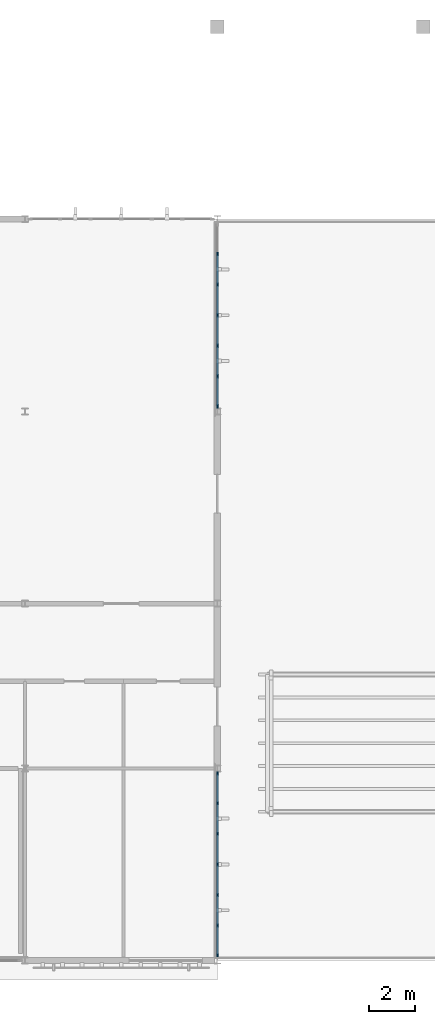
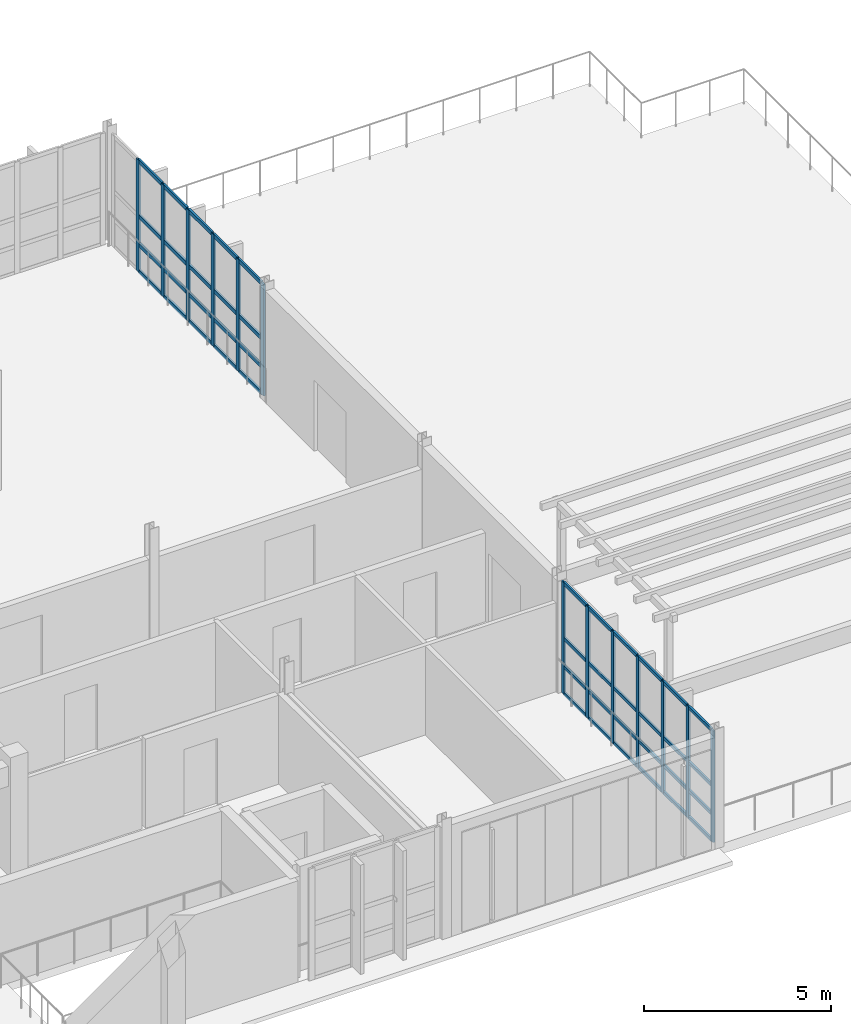
# One storey, part 16 of 35: 57 members, 2 elements without a shape of their own.
"""IFC4 building model written with IfcOpenShell, lengths in metres."""

from ifc_helpers import new_model, si_unit, direction, frame, origin, origin_2d, place, context, subcontext, project, spatial, rectangle, extrude, material, material_profile, profile_set, type_object, element, aggregate, save


model = new_model("IFC4")

# Units and contexts
model_context = context("Model", 3, precision=1e-05, world=origin(), true_north=direction((0.0, 1.0)))
body_context = subcontext(model_context, "Body", "Model", "MODEL_VIEW")
ifc_project = project(units=[si_unit("LENGTHUNIT", "METRE"), si_unit("AREAUNIT", "SQUARE_METRE"), si_unit("VOLUMEUNIT", "CUBIC_METRE"), si_unit("PLANEANGLEUNIT", "RADIAN"), si_unit("MASSUNIT", "GRAM", prefix="KILO")], contexts=[model_context])

# Site, building, storey
site_placement = place(None, origin())
site = spatial("IfcSite", under=ifc_project, at=site_placement, CompositionType="ELEMENT")
building_placement = place(site_placement, origin())
building = spatial("IfcBuilding", under=site, at=building_placement, Name="Tizgana Railside Sports Hall", CompositionType="ELEMENT")
storey_placement = place(building_placement, frame((0.0, 0.0, 15.89990234375)))
storey = spatial("IfcBuildingStorey", under=building, at=storey_placement, Name="L03", CompositionType="ELEMENT", Elevation=15.89990234375)

# Curtain wall, members
ifc_material_1 = material(Name="Anodised aluminium and glass", Category="aluminium")
curtain_wall_type_1 = type_object("IfcCurtainWallType", Name="Unitised Curtain Wall Clinic 1200", PredefinedType="NOTDEFINED", material=ifc_material_1)
curtain_wall_1_placement = place(storey_placement, origin())
curtain_wall_1 = element("IfcCurtainWall", 1, at=curtain_wall_1_placement, inside=storey, type_object=curtain_wall_type_1, Name="L03 Curtain Wall CW-0132", PredefinedType="NOTDEFINED")
ifc_material_2 = material(Name="Anodised aluminium", Category="aluminium")
ifc_material_profile_1 = material_profile(ifc_material_2, rectangle(XDim=0.06005859375, YDim=0.139892578125, at=origin_2d()), Name="Mullion 60x140")
ifc_profile_set_1 = profile_set([ifc_material_profile_1], Name="Anodised aluminium")
member_type_1 = type_object("IfcMemberType", Name="Mullion 60x140", PredefinedType="MULLION", material=ifc_profile_set_1)
member_1_placement = place(storey_placement, frame((79.800048828125, 8.175048828125, 0.0), z_axis=(0.0, 0.0, 1.0), x_axis=(1.0, 0.0, 0.0)))
member_1 = element("IfcMember", 2, at=member_1_placement, type_object=member_type_1, Name="CW-05 mullion 1", PredefinedType="MULLION", context=body_context, shape_type="SweptSolid", body=[
    extrude(rectangle(XDim=0.06005859375, YDim=0.139892578125, at=origin_2d()), origin(), (0.0, 0.0, 1.0), 3.64013671875),
])
member_2_placement = place(storey_placement, frame((79.800048828125, 6.8701171875, 0.0), z_axis=(0.0, 0.0, 1.0), x_axis=(1.0, 0.0, 0.0)))
member_2 = element("IfcMember", 3, at=member_2_placement, type_object=member_type_1, Name="CW-05 mullion 2", PredefinedType="MULLION", context=body_context, shape_type="SweptSolid", body=[
    extrude(rectangle(XDim=0.06005859375, YDim=0.139892578125, at=origin_2d()), origin(), (0.0, 0.0, 1.0), 3.64013671875),
])
member_3_placement = place(storey_placement, frame((79.800048828125, 5.534912109375, 0.0), z_axis=(0.0, 0.0, 1.0), x_axis=(1.0, 0.0, 0.0)))
member_3 = element("IfcMember", 4, at=member_3_placement, type_object=member_type_1, Name="CW-05 mullion 3", PredefinedType="MULLION", context=body_context, shape_type="SweptSolid", body=[
    extrude(rectangle(XDim=0.06005859375, YDim=0.139892578125, at=origin_2d()), origin(), (0.0, 0.0, 1.0), 3.64013671875),
])
member_4_placement = place(storey_placement, frame((79.800048828125, 4.199951171875, 0.0), z_axis=(0.0, 0.0, 1.0), x_axis=(1.0, 0.0, 0.0)))
member_4 = element("IfcMember", 5, at=member_4_placement, type_object=member_type_1, Name="CW-05 mullion 4", PredefinedType="MULLION", context=body_context, shape_type="SweptSolid", body=[
    extrude(rectangle(XDim=0.06005859375, YDim=0.139892578125, at=origin_2d()), origin(), (0.0, 0.0, 1.0), 3.64013671875),
])
member_5_placement = place(storey_placement, frame((79.800048828125, 2.864990234375, 0.0), z_axis=(0.0, 0.0, 1.0), x_axis=(1.0, 0.0, 0.0)))
member_5 = element("IfcMember", 6, at=member_5_placement, type_object=member_type_1, Name="CW-05 mullion 5", PredefinedType="MULLION", context=body_context, shape_type="SweptSolid", body=[
    extrude(rectangle(XDim=0.06005859375, YDim=0.139892578125, at=origin_2d()), origin(), (0.0, 0.0, 1.0), 3.64013671875),
])
member_6_placement = place(storey_placement, frame((79.800048828125, 1.530029296875, 0.0), z_axis=(0.0, 0.0, 1.0), x_axis=(1.0, 0.0, 0.0)))
member_6 = element("IfcMember", 7, at=member_6_placement, type_object=member_type_1, Name="CW-05 mullion 6", PredefinedType="MULLION", context=body_context, shape_type="SweptSolid", body=[
    extrude(rectangle(XDim=0.06005859375, YDim=0.139892578125, at=origin_2d()), origin(), (0.0, 0.0, 1.0), 3.64013671875),
])
member_7_placement = place(storey_placement, frame((79.800048828125, 0.22509765625, 0.0), z_axis=(0.0, 0.0, 1.0), x_axis=(1.0, 0.0, 0.0)))
member_7 = element("IfcMember", 8, at=member_7_placement, type_object=member_type_1, Name="CW-05 mullion 7", PredefinedType="MULLION", context=body_context, shape_type="SweptSolid", body=[
    extrude(rectangle(XDim=0.06005859375, YDim=0.139892578125, at=origin_2d()), origin(), (0.0, 0.0, 1.0), 3.64013671875),
])

curtain_wall_type_2 = type_object("IfcCurtainWallType", Name="Unitised Curtain Wall Passage 1800", PredefinedType="NOTDEFINED", material=ifc_material_1)
curtain_wall_2_placement = place(storey_placement, origin())
curtain_wall_2 = element("IfcCurtainWall", 9, at=curtain_wall_2_placement, inside=storey, type_object=curtain_wall_type_2, Name="L03 Curtain Wall CW-0133", PredefinedType="NOTDEFINED")
ifc_material_profile_2 = material_profile(ifc_material_2, rectangle(XDim=0.06005859375, YDim=0.159912109375, at=origin_2d()), Name="Mullion 60x160")
ifc_profile_set_2 = profile_set([ifc_material_profile_2], Name="Anodised aluminium")
member_type_2 = type_object("IfcMemberType", Name="Mullion 60x160", PredefinedType="MULLION", material=ifc_profile_set_2)
member_8_placement = place(storey_placement, frame((79.800048828125, 30.8701171875, 0.0), z_axis=(0.0, 0.0, 1.0), x_axis=(1.0, 0.0, 0.0)))
member_8 = element("IfcMember", 10, at=member_8_placement, type_object=member_type_2, Name="CW-06 mullion 2", PredefinedType="MULLION", context=body_context, shape_type="SweptSolid", body=[
    extrude(rectangle(XDim=0.06005859375, YDim=0.159912109375, at=origin_2d()), origin(), (0.0, 0.0, 1.0), 3.64013671875),
])
member_9_placement = place(storey_placement, frame((79.800048828125, 29.534912109375, 0.0), z_axis=(0.0, 0.0, 1.0), x_axis=(1.0, 0.0, 0.0)))
member_9 = element("IfcMember", 11, at=member_9_placement, type_object=member_type_2, Name="CW-06 mullion 3", PredefinedType="MULLION", context=body_context, shape_type="SweptSolid", body=[
    extrude(rectangle(XDim=0.06005859375, YDim=0.159912109375, at=origin_2d()), origin(), (0.0, 0.0, 1.0), 3.64013671875),
])
member_10_placement = place(storey_placement, frame((79.800048828125, 28.199951171875, 0.0), z_axis=(0.0, 0.0, 1.0), x_axis=(1.0, 0.0, 0.0)))
member_10 = element("IfcMember", 12, at=member_10_placement, type_object=member_type_2, Name="CW-06 mullion 4", PredefinedType="MULLION", context=body_context, shape_type="SweptSolid", body=[
    extrude(rectangle(XDim=0.06005859375, YDim=0.159912109375, at=origin_2d()), origin(), (0.0, 0.0, 1.0), 3.64013671875),
])
member_11_placement = place(storey_placement, frame((79.800048828125, 26.864990234375, 0.0), z_axis=(0.0, 0.0, 1.0), x_axis=(1.0, 0.0, 0.0)))
member_11 = element("IfcMember", 13, at=member_11_placement, type_object=member_type_2, Name="CW-06 mullion 5", PredefinedType="MULLION", context=body_context, shape_type="SweptSolid", body=[
    extrude(rectangle(XDim=0.06005859375, YDim=0.159912109375, at=origin_2d()), origin(), (0.0, 0.0, 1.0), 3.64013671875),
])
member_12_placement = place(storey_placement, frame((79.800048828125, 25.530029296875, 0.0), z_axis=(0.0, 0.0, 1.0), x_axis=(1.0, 0.0, 0.0)))
member_12 = element("IfcMember", 14, at=member_12_placement, type_object=member_type_2, Name="CW-06 mullion 6", PredefinedType="MULLION", context=body_context, shape_type="SweptSolid", body=[
    extrude(rectangle(XDim=0.06005859375, YDim=0.159912109375, at=origin_2d()), origin(), (0.0, 0.0, 1.0), 3.64013671875),
])
member_13_placement = place(storey_placement, frame((79.800048828125, 24.22509765625, 0.0), z_axis=(0.0, 0.0, 1.0), x_axis=(1.0, 0.0, 0.0)))
member_13 = element("IfcMember", 15, at=member_13_placement, type_object=member_type_2, Name="CW-06 mullion 7", PredefinedType="MULLION", context=body_context, shape_type="SweptSolid", body=[
    extrude(rectangle(XDim=0.06005859375, YDim=0.159912109375, at=origin_2d()), origin(), (0.0, 0.0, 1.0), 3.64013671875),
])

# Member
ifc_material_profile_3 = material_profile(ifc_material_2, rectangle(XDim=0.06005859375, YDim=0.110107421875, at=origin_2d()), Name="Transom 60x110")
ifc_profile_set_3 = profile_set([ifc_material_profile_3], Name="Anodised aluminium")
member_type_3 = type_object("IfcMemberType", Name="Transom 60x110", PredefinedType="USERDEFINED", material=ifc_profile_set_3)
member_14_placement = place(storey_placement, frame((79.800048828125, 8.14501953125, 0.030029296875), z_axis=(0.0, -1.0, 0.0), x_axis=(1.0, 0.0, 0.0)))
member_14 = element("IfcMember", 16, at=member_14_placement, type_object=member_type_3, Name="CW-05 transom 1.1", ObjectType="TRANSOM", PredefinedType="USERDEFINED", context=body_context, shape_type="SweptSolid", body=[
    extrude(rectangle(XDim=0.06005859375, YDim=0.110107421875, at=origin_2d()), origin(), (0.0, 0.0, 1.0), 1.2451171875),
])

member_15_placement = place(storey_placement, frame((79.800048828125, 8.14501953125, 0.900146484375), z_axis=(0.0, -1.0, 0.0), x_axis=(1.0, 0.0, 0.0)))
member_15 = element("IfcMember", 17, at=member_15_placement, type_object=member_type_3, Name="CW-05 transom 1.2", ObjectType="TRANSOM", PredefinedType="USERDEFINED", context=body_context, shape_type="SweptSolid", body=[
    extrude(rectangle(XDim=0.06005859375, YDim=0.110107421875, at=origin_2d()), origin(), (0.0, 0.0, 1.0), 1.2451171875),
])

member_16_placement = place(storey_placement, frame((79.800048828125, 8.14501953125, 1.820068359375), z_axis=(0.0, -1.0, 0.0), x_axis=(1.0, 0.0, 0.0)))
member_16 = element("IfcMember", 18, at=member_16_placement, type_object=member_type_3, Name="CW-05 transom 1.3", ObjectType="TRANSOM", PredefinedType="USERDEFINED", context=body_context, shape_type="SweptSolid", body=[
    extrude(rectangle(XDim=0.06005859375, YDim=0.110107421875, at=origin_2d()), origin(), (0.0, 0.0, 1.0), 1.2451171875),
])

member_17_placement = place(storey_placement, frame((79.800048828125, 8.14501953125, 3.610107421875), z_axis=(0.0, -1.0, 0.0), x_axis=(1.0, 0.0, 0.0)))
member_17 = element("IfcMember", 19, at=member_17_placement, type_object=member_type_3, Name="CW-05 transom 1.4", ObjectType="TRANSOM", PredefinedType="USERDEFINED", context=body_context, shape_type="SweptSolid", body=[
    extrude(rectangle(XDim=0.06005859375, YDim=0.110107421875, at=origin_2d()), origin(), (0.0, 0.0, 1.0), 1.2451171875),
])

member_18_placement = place(storey_placement, frame((79.800048828125, 6.840087890625, 0.030029296875), z_axis=(0.0, -1.0, 0.0), x_axis=(1.0, 0.0, 0.0)))
member_18 = element("IfcMember", 20, at=member_18_placement, type_object=member_type_3, Name="CW-05 transom 2.1", ObjectType="TRANSOM", PredefinedType="USERDEFINED", context=body_context, shape_type="SweptSolid", body=[
    extrude(rectangle(XDim=0.06005859375, YDim=0.110107421875, at=origin_2d()), origin(), (0.0, 0.0, 1.0), 1.275146484375),
])

member_19_placement = place(storey_placement, frame((79.800048828125, 6.840087890625, 0.900146484375), z_axis=(0.0, -1.0, 0.0), x_axis=(1.0, 0.0, 0.0)))
member_19 = element("IfcMember", 21, at=member_19_placement, type_object=member_type_3, Name="CW-05 transom 2.2", ObjectType="TRANSOM", PredefinedType="USERDEFINED", context=body_context, shape_type="SweptSolid", body=[
    extrude(rectangle(XDim=0.06005859375, YDim=0.110107421875, at=origin_2d()), origin(), (0.0, 0.0, 1.0), 1.275146484375),
])

member_20_placement = place(storey_placement, frame((79.800048828125, 6.840087890625, 1.820068359375), z_axis=(0.0, -1.0, 0.0), x_axis=(1.0, 0.0, 0.0)))
member_20 = element("IfcMember", 22, at=member_20_placement, type_object=member_type_3, Name="CW-05 transom 2.3", ObjectType="TRANSOM", PredefinedType="USERDEFINED", context=body_context, shape_type="SweptSolid", body=[
    extrude(rectangle(XDim=0.06005859375, YDim=0.110107421875, at=origin_2d()), origin(), (0.0, 0.0, 1.0), 1.275146484375),
])

member_21_placement = place(storey_placement, frame((79.800048828125, 6.840087890625, 3.610107421875), z_axis=(0.0, -1.0, 0.0), x_axis=(1.0, 0.0, 0.0)))
member_21 = element("IfcMember", 23, at=member_21_placement, type_object=member_type_3, Name="CW-05 transom 2.4", ObjectType="TRANSOM", PredefinedType="USERDEFINED", context=body_context, shape_type="SweptSolid", body=[
    extrude(rectangle(XDim=0.06005859375, YDim=0.110107421875, at=origin_2d()), origin(), (0.0, 0.0, 1.0), 1.275146484375),
])

member_22_placement = place(storey_placement, frame((79.800048828125, 5.5048828125, 0.030029296875), z_axis=(0.0, -1.0, 0.0), x_axis=(1.0, 0.0, 0.0)))
member_22 = element("IfcMember", 24, at=member_22_placement, type_object=member_type_3, Name="CW-05 transom 3.1", ObjectType="TRANSOM", PredefinedType="USERDEFINED", context=body_context, shape_type="SweptSolid", body=[
    extrude(rectangle(XDim=0.06005859375, YDim=0.110107421875, at=origin_2d()), origin(), (0.0, 0.0, 1.0), 1.27490234375),
])

member_23_placement = place(storey_placement, frame((79.800048828125, 5.5048828125, 0.900146484375), z_axis=(0.0, -1.0, 0.0), x_axis=(1.0, 0.0, 0.0)))
member_23 = element("IfcMember", 25, at=member_23_placement, type_object=member_type_3, Name="CW-05 transom 3.2", ObjectType="TRANSOM", PredefinedType="USERDEFINED", context=body_context, shape_type="SweptSolid", body=[
    extrude(rectangle(XDim=0.06005859375, YDim=0.110107421875, at=origin_2d()), origin(), (0.0, 0.0, 1.0), 1.27490234375),
])

member_24_placement = place(storey_placement, frame((79.800048828125, 5.5048828125, 1.820068359375), z_axis=(0.0, -1.0, 0.0), x_axis=(1.0, 0.0, 0.0)))
member_24 = element("IfcMember", 26, at=member_24_placement, type_object=member_type_3, Name="CW-05 transom 3.3", ObjectType="TRANSOM", PredefinedType="USERDEFINED", context=body_context, shape_type="SweptSolid", body=[
    extrude(rectangle(XDim=0.06005859375, YDim=0.110107421875, at=origin_2d()), origin(), (0.0, 0.0, 1.0), 1.27490234375),
])

member_25_placement = place(storey_placement, frame((79.800048828125, 5.5048828125, 3.610107421875), z_axis=(0.0, -1.0, 0.0), x_axis=(1.0, 0.0, 0.0)))
member_25 = element("IfcMember", 27, at=member_25_placement, type_object=member_type_3, Name="CW-05 transom 3.4", ObjectType="TRANSOM", PredefinedType="USERDEFINED", context=body_context, shape_type="SweptSolid", body=[
    extrude(rectangle(XDim=0.06005859375, YDim=0.110107421875, at=origin_2d()), origin(), (0.0, 0.0, 1.0), 1.27490234375),
])

member_26_placement = place(storey_placement, frame((79.800048828125, 4.169921875, 0.030029296875), z_axis=(0.0, -1.0, 0.0), x_axis=(1.0, 0.0, 0.0)))
member_26 = element("IfcMember", 28, at=member_26_placement, type_object=member_type_3, Name="CW-05 transom 4.1", ObjectType="TRANSOM", PredefinedType="USERDEFINED", context=body_context, shape_type="SweptSolid", body=[
    extrude(rectangle(XDim=0.06005859375, YDim=0.110107421875, at=origin_2d()), origin(), (0.0, 0.0, 1.0), 1.27490234375),
])

member_27_placement = place(storey_placement, frame((79.800048828125, 4.169921875, 0.900146484375), z_axis=(0.0, -1.0, 0.0), x_axis=(1.0, 0.0, 0.0)))
member_27 = element("IfcMember", 29, at=member_27_placement, type_object=member_type_3, Name="CW-05 transom 4.2", ObjectType="TRANSOM", PredefinedType="USERDEFINED", context=body_context, shape_type="SweptSolid", body=[
    extrude(rectangle(XDim=0.06005859375, YDim=0.110107421875, at=origin_2d()), origin(), (0.0, 0.0, 1.0), 1.27490234375),
])

member_28_placement = place(storey_placement, frame((79.800048828125, 4.169921875, 1.820068359375), z_axis=(0.0, -1.0, 0.0), x_axis=(1.0, 0.0, 0.0)))
member_28 = element("IfcMember", 30, at=member_28_placement, type_object=member_type_3, Name="CW-05 transom 4.3", ObjectType="TRANSOM", PredefinedType="USERDEFINED", context=body_context, shape_type="SweptSolid", body=[
    extrude(rectangle(XDim=0.06005859375, YDim=0.110107421875, at=origin_2d()), origin(), (0.0, 0.0, 1.0), 1.27490234375),
])

member_29_placement = place(storey_placement, frame((79.800048828125, 4.169921875, 3.610107421875), z_axis=(0.0, -1.0, 0.0), x_axis=(1.0, 0.0, 0.0)))
member_29 = element("IfcMember", 31, at=member_29_placement, type_object=member_type_3, Name="CW-05 transom 4.4", ObjectType="TRANSOM", PredefinedType="USERDEFINED", context=body_context, shape_type="SweptSolid", body=[
    extrude(rectangle(XDim=0.06005859375, YDim=0.110107421875, at=origin_2d()), origin(), (0.0, 0.0, 1.0), 1.27490234375),
])

member_30_placement = place(storey_placement, frame((79.800048828125, 2.8349609375, 0.030029296875), z_axis=(0.0, -1.0, 0.0), x_axis=(1.0, 0.0, 0.0)))
member_30 = element("IfcMember", 32, at=member_30_placement, type_object=member_type_3, Name="CW-05 transom 5.1", ObjectType="TRANSOM", PredefinedType="USERDEFINED", context=body_context, shape_type="SweptSolid", body=[
    extrude(rectangle(XDim=0.06005859375, YDim=0.110107421875, at=origin_2d()), origin(), (0.0, 0.0, 1.0), 1.27490234375),
])

member_31_placement = place(storey_placement, frame((79.800048828125, 2.8349609375, 0.900146484375), z_axis=(0.0, -1.0, 0.0), x_axis=(1.0, 0.0, 0.0)))
member_31 = element("IfcMember", 33, at=member_31_placement, type_object=member_type_3, Name="CW-05 transom 5.2", ObjectType="TRANSOM", PredefinedType="USERDEFINED", context=body_context, shape_type="SweptSolid", body=[
    extrude(rectangle(XDim=0.06005859375, YDim=0.110107421875, at=origin_2d()), origin(), (0.0, 0.0, 1.0), 1.27490234375),
])

member_32_placement = place(storey_placement, frame((79.800048828125, 2.8349609375, 1.820068359375), z_axis=(0.0, -1.0, 0.0), x_axis=(1.0, 0.0, 0.0)))
member_32 = element("IfcMember", 34, at=member_32_placement, type_object=member_type_3, Name="CW-05 transom 5.3", ObjectType="TRANSOM", PredefinedType="USERDEFINED", context=body_context, shape_type="SweptSolid", body=[
    extrude(rectangle(XDim=0.06005859375, YDim=0.110107421875, at=origin_2d()), origin(), (0.0, 0.0, 1.0), 1.27490234375),
])

member_33_placement = place(storey_placement, frame((79.800048828125, 2.8349609375, 3.610107421875), z_axis=(0.0, -1.0, 0.0), x_axis=(1.0, 0.0, 0.0)))
member_33 = element("IfcMember", 35, at=member_33_placement, type_object=member_type_3, Name="CW-05 transom 5.4", ObjectType="TRANSOM", PredefinedType="USERDEFINED", context=body_context, shape_type="SweptSolid", body=[
    extrude(rectangle(XDim=0.06005859375, YDim=0.110107421875, at=origin_2d()), origin(), (0.0, 0.0, 1.0), 1.27490234375),
])

member_34_placement = place(storey_placement, frame((79.800048828125, 1.5, 0.030029296875), z_axis=(0.0, -1.0, 0.0), x_axis=(1.0, 0.0, 0.0)))
member_34 = element("IfcMember", 36, at=member_34_placement, type_object=member_type_3, Name="CW-05 transom 6.1", ObjectType="TRANSOM", PredefinedType="USERDEFINED", context=body_context, shape_type="SweptSolid", body=[
    extrude(rectangle(XDim=0.06005859375, YDim=0.110107421875, at=origin_2d()), origin(), (0.0, 0.0, 1.0), 1.2451171875),
])

member_35_placement = place(storey_placement, frame((79.800048828125, 1.5, 0.900146484375), z_axis=(0.0, -1.0, 0.0), x_axis=(1.0, 0.0, 0.0)))
member_35 = element("IfcMember", 37, at=member_35_placement, type_object=member_type_3, Name="CW-05 transom 6.2", ObjectType="TRANSOM", PredefinedType="USERDEFINED", context=body_context, shape_type="SweptSolid", body=[
    extrude(rectangle(XDim=0.06005859375, YDim=0.110107421875, at=origin_2d()), origin(), (0.0, 0.0, 1.0), 1.2451171875),
])

member_36_placement = place(storey_placement, frame((79.800048828125, 1.5, 1.820068359375), z_axis=(0.0, -1.0, 0.0), x_axis=(1.0, 0.0, 0.0)))
member_36 = element("IfcMember", 38, at=member_36_placement, type_object=member_type_3, Name="CW-05 transom 6.3", ObjectType="TRANSOM", PredefinedType="USERDEFINED", context=body_context, shape_type="SweptSolid", body=[
    extrude(rectangle(XDim=0.06005859375, YDim=0.110107421875, at=origin_2d()), origin(), (0.0, 0.0, 1.0), 1.2451171875),
])

member_37_placement = place(storey_placement, frame((79.800048828125, 1.5, 3.610107421875), z_axis=(0.0, -1.0, 0.0), x_axis=(1.0, 0.0, 0.0)))
member_37 = element("IfcMember", 39, at=member_37_placement, type_object=member_type_3, Name="CW-05 transom 6.4", ObjectType="TRANSOM", PredefinedType="USERDEFINED", context=body_context, shape_type="SweptSolid", body=[
    extrude(rectangle(XDim=0.06005859375, YDim=0.110107421875, at=origin_2d()), origin(), (0.0, 0.0, 1.0), 1.2451171875),
])

aggregate(curtain_wall_1, [member_1, member_2, member_3, member_4, member_5, member_6, member_7, member_14, member_15, member_16, member_17, member_18, member_19, member_20, member_21, member_22, member_23, member_24, member_25, member_26, member_27, member_28, member_29, member_30, member_31, member_32, member_33, member_34, member_35, member_36, member_37])

ifc_material_profile_4 = material_profile(ifc_material_2, rectangle(XDim=0.06005859375, YDim=0.1298828125, at=origin_2d()), Name="Transom 60x130")
ifc_profile_set_4 = profile_set([ifc_material_profile_4], Name="Anodised aluminium")
member_type_4 = type_object("IfcMemberType", Name="Transom 60x130", PredefinedType="USERDEFINED", material=ifc_profile_set_4)
member_38_placement = place(storey_placement, frame((79.800048828125, 30.840087890625, 0.030029296875), z_axis=(0.0, -1.0, 0.0), x_axis=(1.0, 0.0, 0.0)))
member_38 = element("IfcMember", 40, at=member_38_placement, type_object=member_type_4, Name="CW-06 transom 2.1", ObjectType="TRANSOM", PredefinedType="USERDEFINED", context=body_context, shape_type="SweptSolid", body=[
    extrude(rectangle(XDim=0.06005859375, YDim=0.1298828125, at=origin_2d()), origin(), (0.0, 0.0, 1.0), 1.275146484375),
])

member_39_placement = place(storey_placement, frame((79.800048828125, 30.840087890625, 0.900146484375), z_axis=(0.0, -1.0, 0.0), x_axis=(1.0, 0.0, 0.0)))
member_39 = element("IfcMember", 41, at=member_39_placement, type_object=member_type_4, Name="CW-06 transom 2.2", ObjectType="TRANSOM", PredefinedType="USERDEFINED", context=body_context, shape_type="SweptSolid", body=[
    extrude(rectangle(XDim=0.06005859375, YDim=0.1298828125, at=origin_2d()), origin(), (0.0, 0.0, 1.0), 1.275146484375),
])

member_40_placement = place(storey_placement, frame((79.800048828125, 30.840087890625, 1.820068359375), z_axis=(0.0, -1.0, 0.0), x_axis=(1.0, 0.0, 0.0)))
member_40 = element("IfcMember", 42, at=member_40_placement, type_object=member_type_4, Name="CW-06 transom 2.3", ObjectType="TRANSOM", PredefinedType="USERDEFINED", context=body_context, shape_type="SweptSolid", body=[
    extrude(rectangle(XDim=0.06005859375, YDim=0.1298828125, at=origin_2d()), origin(), (0.0, 0.0, 1.0), 1.275146484375),
])

member_41_placement = place(storey_placement, frame((79.800048828125, 30.840087890625, 3.610107421875), z_axis=(0.0, -1.0, 0.0), x_axis=(1.0, 0.0, 0.0)))
member_41 = element("IfcMember", 43, at=member_41_placement, type_object=member_type_4, Name="CW-06 transom 2.4", ObjectType="TRANSOM", PredefinedType="USERDEFINED", context=body_context, shape_type="SweptSolid", body=[
    extrude(rectangle(XDim=0.06005859375, YDim=0.1298828125, at=origin_2d()), origin(), (0.0, 0.0, 1.0), 1.275146484375),
])

member_42_placement = place(storey_placement, frame((79.800048828125, 29.5048828125, 0.030029296875), z_axis=(0.0, -1.0, 0.0), x_axis=(1.0, 0.0, 0.0)))
member_42 = element("IfcMember", 44, at=member_42_placement, type_object=member_type_4, Name="CW-06 transom 3.1", ObjectType="TRANSOM", PredefinedType="USERDEFINED", context=body_context, shape_type="SweptSolid", body=[
    extrude(rectangle(XDim=0.06005859375, YDim=0.1298828125, at=origin_2d()), origin(), (0.0, 0.0, 1.0), 1.27490234375),
])

member_43_placement = place(storey_placement, frame((79.800048828125, 29.5048828125, 0.900146484375), z_axis=(0.0, -1.0, 0.0), x_axis=(1.0, 0.0, 0.0)))
member_43 = element("IfcMember", 45, at=member_43_placement, type_object=member_type_4, Name="CW-06 transom 3.2", ObjectType="TRANSOM", PredefinedType="USERDEFINED", context=body_context, shape_type="SweptSolid", body=[
    extrude(rectangle(XDim=0.06005859375, YDim=0.1298828125, at=origin_2d()), origin(), (0.0, 0.0, 1.0), 1.27490234375),
])

member_44_placement = place(storey_placement, frame((79.800048828125, 29.5048828125, 1.820068359375), z_axis=(0.0, -1.0, 0.0), x_axis=(1.0, 0.0, 0.0)))
member_44 = element("IfcMember", 46, at=member_44_placement, type_object=member_type_4, Name="CW-06 transom 3.3", ObjectType="TRANSOM", PredefinedType="USERDEFINED", context=body_context, shape_type="SweptSolid", body=[
    extrude(rectangle(XDim=0.06005859375, YDim=0.1298828125, at=origin_2d()), origin(), (0.0, 0.0, 1.0), 1.27490234375),
])

member_45_placement = place(storey_placement, frame((79.800048828125, 29.5048828125, 3.610107421875), z_axis=(0.0, -1.0, 0.0), x_axis=(1.0, 0.0, 0.0)))
member_45 = element("IfcMember", 47, at=member_45_placement, type_object=member_type_4, Name="CW-06 transom 3.4", ObjectType="TRANSOM", PredefinedType="USERDEFINED", context=body_context, shape_type="SweptSolid", body=[
    extrude(rectangle(XDim=0.06005859375, YDim=0.1298828125, at=origin_2d()), origin(), (0.0, 0.0, 1.0), 1.27490234375),
])

member_46_placement = place(storey_placement, frame((79.800048828125, 28.169921875, 0.030029296875), z_axis=(0.0, -1.0, 0.0), x_axis=(1.0, 0.0, 0.0)))
member_46 = element("IfcMember", 48, at=member_46_placement, type_object=member_type_4, Name="CW-06 transom 4.1", ObjectType="TRANSOM", PredefinedType="USERDEFINED", context=body_context, shape_type="SweptSolid", body=[
    extrude(rectangle(XDim=0.06005859375, YDim=0.1298828125, at=origin_2d()), origin(), (0.0, 0.0, 1.0), 1.27490234375),
])

member_47_placement = place(storey_placement, frame((79.800048828125, 28.169921875, 0.900146484375), z_axis=(0.0, -1.0, 0.0), x_axis=(1.0, 0.0, 0.0)))
member_47 = element("IfcMember", 49, at=member_47_placement, type_object=member_type_4, Name="CW-06 transom 4.2", ObjectType="TRANSOM", PredefinedType="USERDEFINED", context=body_context, shape_type="SweptSolid", body=[
    extrude(rectangle(XDim=0.06005859375, YDim=0.1298828125, at=origin_2d()), origin(), (0.0, 0.0, 1.0), 1.27490234375),
])

member_48_placement = place(storey_placement, frame((79.800048828125, 28.169921875, 1.820068359375), z_axis=(0.0, -1.0, 0.0), x_axis=(1.0, 0.0, 0.0)))
member_48 = element("IfcMember", 50, at=member_48_placement, type_object=member_type_4, Name="CW-06 transom 4.3", ObjectType="TRANSOM", PredefinedType="USERDEFINED", context=body_context, shape_type="SweptSolid", body=[
    extrude(rectangle(XDim=0.06005859375, YDim=0.1298828125, at=origin_2d()), origin(), (0.0, 0.0, 1.0), 1.27490234375),
])

member_49_placement = place(storey_placement, frame((79.800048828125, 28.169921875, 3.610107421875), z_axis=(0.0, -1.0, 0.0), x_axis=(1.0, 0.0, 0.0)))
member_49 = element("IfcMember", 51, at=member_49_placement, type_object=member_type_4, Name="CW-06 transom 4.4", ObjectType="TRANSOM", PredefinedType="USERDEFINED", context=body_context, shape_type="SweptSolid", body=[
    extrude(rectangle(XDim=0.06005859375, YDim=0.1298828125, at=origin_2d()), origin(), (0.0, 0.0, 1.0), 1.27490234375),
])

member_50_placement = place(storey_placement, frame((79.800048828125, 26.8349609375, 0.030029296875), z_axis=(0.0, -1.0, 0.0), x_axis=(1.0, 0.0, 0.0)))
member_50 = element("IfcMember", 52, at=member_50_placement, type_object=member_type_4, Name="CW-06 transom 5.1", ObjectType="TRANSOM", PredefinedType="USERDEFINED", context=body_context, shape_type="SweptSolid", body=[
    extrude(rectangle(XDim=0.06005859375, YDim=0.1298828125, at=origin_2d()), origin(), (0.0, 0.0, 1.0), 1.27490234375),
])

member_51_placement = place(storey_placement, frame((79.800048828125, 26.8349609375, 0.900146484375), z_axis=(0.0, -1.0, 0.0), x_axis=(1.0, 0.0, 0.0)))
member_51 = element("IfcMember", 53, at=member_51_placement, type_object=member_type_4, Name="CW-06 transom 5.2", ObjectType="TRANSOM", PredefinedType="USERDEFINED", context=body_context, shape_type="SweptSolid", body=[
    extrude(rectangle(XDim=0.06005859375, YDim=0.1298828125, at=origin_2d()), origin(), (0.0, 0.0, 1.0), 1.27490234375),
])

member_52_placement = place(storey_placement, frame((79.800048828125, 26.8349609375, 1.820068359375), z_axis=(0.0, -1.0, 0.0), x_axis=(1.0, 0.0, 0.0)))
member_52 = element("IfcMember", 54, at=member_52_placement, type_object=member_type_4, Name="CW-06 transom 5.3", ObjectType="TRANSOM", PredefinedType="USERDEFINED", context=body_context, shape_type="SweptSolid", body=[
    extrude(rectangle(XDim=0.06005859375, YDim=0.1298828125, at=origin_2d()), origin(), (0.0, 0.0, 1.0), 1.27490234375),
])

member_53_placement = place(storey_placement, frame((79.800048828125, 26.8349609375, 3.610107421875), z_axis=(0.0, -1.0, 0.0), x_axis=(1.0, 0.0, 0.0)))
member_53 = element("IfcMember", 55, at=member_53_placement, type_object=member_type_4, Name="CW-06 transom 5.4", ObjectType="TRANSOM", PredefinedType="USERDEFINED", context=body_context, shape_type="SweptSolid", body=[
    extrude(rectangle(XDim=0.06005859375, YDim=0.1298828125, at=origin_2d()), origin(), (0.0, 0.0, 1.0), 1.27490234375),
])

member_54_placement = place(storey_placement, frame((79.800048828125, 25.5, 0.030029296875), z_axis=(0.0, -1.0, 0.0), x_axis=(1.0, 0.0, 0.0)))
member_54 = element("IfcMember", 56, at=member_54_placement, type_object=member_type_4, Name="CW-06 transom 6.1", ObjectType="TRANSOM", PredefinedType="USERDEFINED", context=body_context, shape_type="SweptSolid", body=[
    extrude(rectangle(XDim=0.06005859375, YDim=0.1298828125, at=origin_2d()), origin(), (0.0, 0.0, 1.0), 1.2451171875),
])

member_55_placement = place(storey_placement, frame((79.800048828125, 25.5, 0.900146484375), z_axis=(0.0, -1.0, 0.0), x_axis=(1.0, 0.0, 0.0)))
member_55 = element("IfcMember", 57, at=member_55_placement, type_object=member_type_4, Name="CW-06 transom 6.2", ObjectType="TRANSOM", PredefinedType="USERDEFINED", context=body_context, shape_type="SweptSolid", body=[
    extrude(rectangle(XDim=0.06005859375, YDim=0.1298828125, at=origin_2d()), origin(), (0.0, 0.0, 1.0), 1.2451171875),
])

member_56_placement = place(storey_placement, frame((79.800048828125, 25.5, 1.820068359375), z_axis=(0.0, -1.0, 0.0), x_axis=(1.0, 0.0, 0.0)))
member_56 = element("IfcMember", 58, at=member_56_placement, type_object=member_type_4, Name="CW-06 transom 6.3", ObjectType="TRANSOM", PredefinedType="USERDEFINED", context=body_context, shape_type="SweptSolid", body=[
    extrude(rectangle(XDim=0.06005859375, YDim=0.1298828125, at=origin_2d()), origin(), (0.0, 0.0, 1.0), 1.2451171875),
])

member_57_placement = place(storey_placement, frame((79.800048828125, 25.5, 3.610107421875), z_axis=(0.0, -1.0, 0.0), x_axis=(1.0, 0.0, 0.0)))
member_57 = element("IfcMember", 59, at=member_57_placement, type_object=member_type_4, Name="CW-06 transom 6.4", ObjectType="TRANSOM", PredefinedType="USERDEFINED", context=body_context, shape_type="SweptSolid", body=[
    extrude(rectangle(XDim=0.06005859375, YDim=0.1298828125, at=origin_2d()), origin(), (0.0, 0.0, 1.0), 1.2451171875),
])

aggregate(curtain_wall_2, [member_8, member_9, member_10, member_11, member_12, member_13, member_38, member_39, member_40, member_41, member_42, member_43, member_44, member_45, member_46, member_47, member_48, member_49, member_50, member_51, member_52, member_53, member_54, member_55, member_56, member_57])

save(model, "model.ifc")
